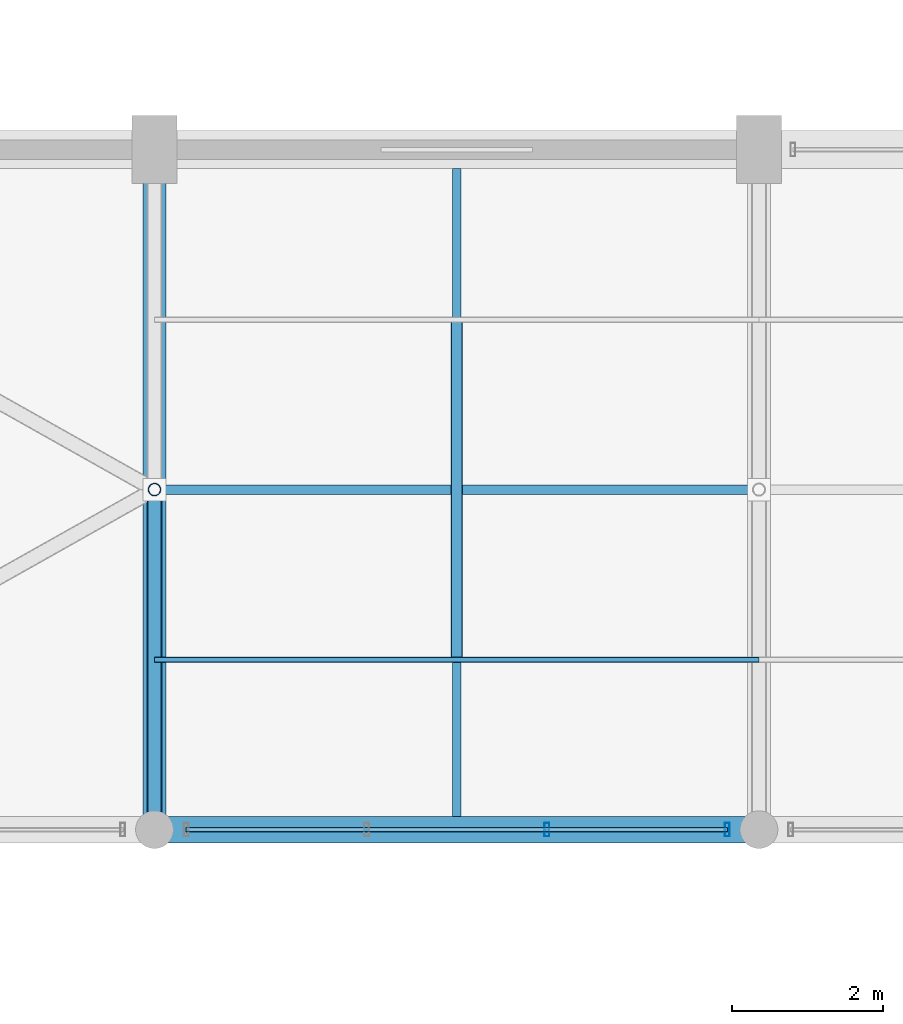
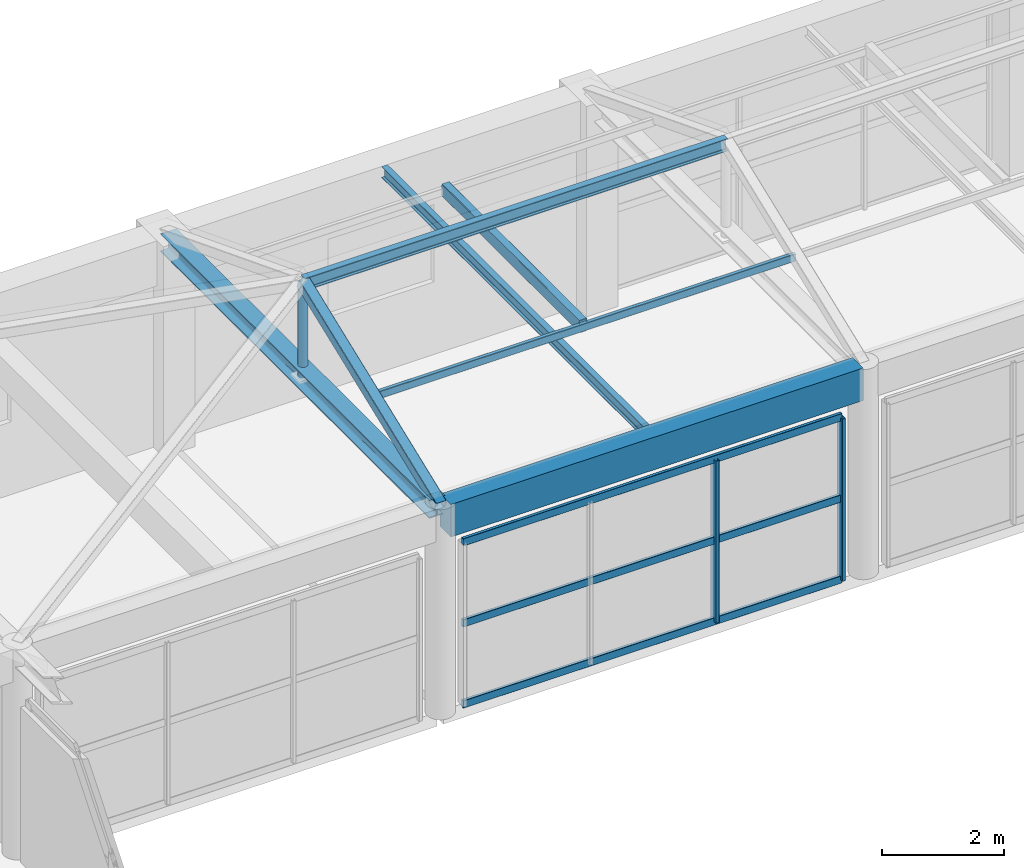
# One storey, part 30 of 65: 9 members, 4 beams, 1 element without a shape of its own.
"""IFC4 building model written with IfcOpenShell, lengths in metres."""

from ifc_helpers import new_model, si_unit, direction, frame, origin, origin_2d, place, context, subcontext, project, spatial, rectangle, hollow_rectangle, hollow_circle, i_section, extrude, material, material_profile, profile_set, type_object, element, aggregate, save


model = new_model("IFC4")

# Units and contexts
model_context = context("Model", 3, precision=1e-05, world=origin(), true_north=direction((0.0, 1.0)))
body_context = subcontext(model_context, "Body", "Model", "MODEL_VIEW")
ifc_project = project(units=[si_unit("LENGTHUNIT", "METRE"), si_unit("AREAUNIT", "SQUARE_METRE"), si_unit("VOLUMEUNIT", "CUBIC_METRE"), si_unit("PLANEANGLEUNIT", "RADIAN"), si_unit("MASSUNIT", "GRAM", prefix="KILO")], contexts=[model_context])

# Site, building, storey
site_placement = place(None, origin())
site = spatial("IfcSite", under=ifc_project, at=site_placement, CompositionType="ELEMENT")
building_placement = place(site_placement, origin())
building = spatial("IfcBuilding", under=site, at=building_placement, Name="Varnabhumi Central Station", CompositionType="ELEMENT")
storey_placement = place(building_placement, frame((0.0, 0.0, 24.60009765625)))
storey = spatial("IfcBuildingStorey", under=building, at=storey_placement, Name="L05", CompositionType="ELEMENT", Elevation=24.60009765625)

# Beams
ifc_material_1 = material(Name="Structural steel E350", Category="steel")
ifc_material_profile_1 = material_profile(ifc_material_1, i_section(OverallWidth=0.125, OverallDepth=0.25, WebThickness=0.0068359375, FlangeThickness=0.012451171875, FilletRadius=0.012939453125, at=origin_2d()), Name="Structural steel E350", Category="steel")
ifc_profile_set_1 = profile_set([ifc_material_profile_1], Name="Structural steel E350")
beam_type_1 = type_object("IfcBeamType", Name="BM-PUR-ISMB250", PredefinedType="JOIST", material=ifc_profile_set_1)
beam_1_placement = place(storey_placement, frame((120.0, 31.5, 5.829833984375), z_axis=(1.0, 0.0, 0.0), x_axis=(0.0, 1.0, 0.0)))
element("IfcBeam", 1, at=beam_1_placement, inside=storey, type_object=beam_type_1, Name="Mission Roof Ridge Beam SW6CN-2", PredefinedType="JOIST", context=body_context, shape_type="SweptSolid", body=[
    extrude(i_section(OverallWidth=0.125, OverallDepth=0.25, WebThickness=0.0068359375, FlangeThickness=0.012451171875, FilletRadius=0.012939453125, at=origin_2d()), origin(), (0.0, 0.0, 1.0), 8.0),
])
ifc_material_2 = material(Name="Concrete M40", Category="concrete")
ifc_material_profile_2 = material_profile(ifc_material_2, rectangle(XDim=0.35009765625, YDim=0.64990234375, at=origin_2d()), Name="Concrete M40", Category="concrete")
ifc_profile_set_2 = profile_set([ifc_material_profile_2], Name="Concrete M40")
beam_type_2 = type_object("IfcBeamType", Name="BM-RC-350x650", PredefinedType="BEAM", material=ifc_profile_set_2)
beam_2_placement = place(storey_placement, frame((120.10009765625, 27.0, 3.875), z_axis=(1.0, 0.0, 0.0), x_axis=(0.0, 1.0, 0.0)))
element("IfcBeam", 2, at=beam_2_placement, inside=storey, type_object=beam_type_2, Name="Beam L05-D:16-17", PredefinedType="BEAM", context=body_context, shape_type="SweptSolid", body=[
    extrude(rectangle(XDim=0.35009765625, YDim=0.64990234375, at=origin_2d()), origin(), (0.0, 0.0, 1.0), 7.7998046875),
])
ifc_material_profile_3 = material_profile(ifc_material_1, i_section(OverallWidth=0.110107421875, OverallDepth=0.22509765625, WebThickness=0.006591796875, FlangeThickness=0.01171875, FilletRadius=0.011962890625, at=origin_2d()), Name="Structural steel E350", Category="steel")
ifc_profile_set_3 = profile_set([ifc_material_profile_3], Name="Structural steel E350")
beam_type_3 = type_object("IfcBeamType", Name="BM-STL-ISMB225", PredefinedType="JOIST", material=ifc_profile_set_3)
beam_3_placement = place(storey_placement, frame((124.0, 27.175048828125, 4.08740234375), z_axis=(0.0, 1.0, 0.0), x_axis=(-1.0, 0.0, 0.0)))
element("IfcBeam", 3, at=beam_3_placement, inside=storey, type_object=beam_type_3, Name="Secondary Joist L05-16/17:D-E", PredefinedType="JOIST", context=body_context, shape_type="SweptSolid", body=[
    extrude(i_section(OverallWidth=0.110107421875, OverallDepth=0.22509765625, WebThickness=0.006591796875, FlangeThickness=0.01171875, FilletRadius=0.011962890625, at=origin_2d()), origin(), (0.0, 0.0, 1.0), 8.574951171875),
])
ifc_material_profile_4 = material_profile(ifc_material_1, i_section(OverallWidth=0.300048828125, OverallDepth=0.360107421875, WebThickness=0.012451171875, FlangeThickness=0.0224609375, FilletRadius=0.027099609375, at=origin_2d()), Name="Structural steel E350", Category="steel")
ifc_profile_set_4 = profile_set([ifc_material_profile_4], Name="Structural steel E350")
beam_type_4 = type_object("IfcBeamType", Name="BM-STL-WPB360", PredefinedType="BEAM", material=ifc_profile_set_4)
beam_4_placement = place(storey_placement, frame((120.0, 27.10009765625, 4.02001953125), z_axis=(0.0, 1.0, 0.0), x_axis=(-1.0, 0.0, 0.0)))
element("IfcBeam", 4, at=beam_4_placement, inside=storey, type_object=beam_type_4, Name="Beam L05-16:D-E", PredefinedType="BEAM", context=body_context, shape_type="SweptSolid", body=[
    extrude(i_section(OverallWidth=0.300048828125, OverallDepth=0.360107421875, WebThickness=0.012451171875, FlangeThickness=0.0224609375, FilletRadius=0.027099609375, at=origin_2d()), origin(), (0.0, 0.0, 1.0), 8.7998046875),
])

# Curtain wall, members
ifc_material_3 = material(Name="Anodised aluminium 6063-T6", Category="aluminium")
curtain_wall_type = type_object("IfcCurtainWallType", Name="CW-PATIO-LOGGIA-L3", PredefinedType="NOTDEFINED", material=ifc_material_3)
curtain_wall_placement = place(storey_placement, origin())
curtain_wall = element("IfcCurtainWall", 5, at=curtain_wall_placement, inside=storey, type_object=curtain_wall_type, Name="Curtain Wall CW-SP5N2", PredefinedType="NOTDEFINED")
ifc_material_profile_5 = material_profile(ifc_material_3, hollow_rectangle(XDim=0.06494140625, YDim=0.179931640625, WallThickness=0.00390625, InnerFilletRadius=0.001953125, OuterFilletRadius=0.006103515625, at=origin_2d()), Name="Anodised aluminium 6063-T6", Category="aluminium")
ifc_profile_set_5 = profile_set([ifc_material_profile_5], Name="Anodised aluminium 6063-T6")
member_type_1 = type_object("IfcMemberType", Name="CW-MUL-180", PredefinedType="MULLION", material=ifc_profile_set_5)
member_1_placement = place(storey_placement, frame((125.193359375, 27.0, 0.0), z_axis=(0.0, 0.0, 1.0), x_axis=(1.0, 0.0, 0.0)))
member_1 = element("IfcMember", 6, at=member_1_placement, type_object=member_type_1, Name="Curtain Wall Mullion CW-SP5N2-M3", PredefinedType="MULLION", context=body_context, shape_type="SweptSolid", body=[
    extrude(hollow_rectangle(XDim=0.06494140625, YDim=0.179931640625, WallThickness=0.00390625, InnerFilletRadius=0.001953125, OuterFilletRadius=0.006103515625, at=origin_2d()), origin(), (0.0, 0.0, 1.0), 3.239990234375),
])
member_2_placement = place(storey_placement, frame((127.580078125, 27.0, 0.0), z_axis=(0.0, 0.0, 1.0), x_axis=(1.0, 0.0, 0.0)))
member_2 = element("IfcMember", 7, at=member_2_placement, type_object=member_type_1, Name="Curtain Wall Mullion CW-SP5N2-M4", PredefinedType="MULLION", context=body_context, shape_type="SweptSolid", body=[
    extrude(hollow_rectangle(XDim=0.06494140625, YDim=0.179931640625, WallThickness=0.00390625, InnerFilletRadius=0.001953125, OuterFilletRadius=0.006103515625, at=origin_2d()), origin(), (0.0, 0.0, 1.0), 3.239990234375),
])
ifc_material_profile_6 = material_profile(ifc_material_3, hollow_rectangle(XDim=0.06005859375, YDim=0.14990234375, WallThickness=0.00390625, InnerFilletRadius=0.001953125, OuterFilletRadius=0.006103515625, at=origin_2d()), Name="Anodised aluminium 6063-T6", Category="aluminium")
ifc_profile_set_6 = profile_set([ifc_material_profile_6], Name="Anodised aluminium 6063-T6")
member_type_2 = type_object("IfcMemberType", Name="CW-TR-150", PredefinedType="USERDEFINED", material=ifc_profile_set_6)
member_3_placement = place(storey_placement, frame((120.419921875, 27.0, 0.0), z_axis=(1.0, 0.0, 0.0), x_axis=(0.0, 1.0, 0.0)))
member_3 = element("IfcMember", 8, at=member_3_placement, type_object=member_type_2, Name="Curtain Wall Transom CW-SP5N2-T1", ObjectType="TRANSOM", PredefinedType="USERDEFINED", context=body_context, shape_type="SweptSolid", body=[
    extrude(hollow_rectangle(XDim=0.06005859375, YDim=0.14990234375, WallThickness=0.00390625, InnerFilletRadius=0.001953125, OuterFilletRadius=0.006103515625, at=origin_2d()), origin(), (0.0, 0.0, 1.0), 7.16015625),
])
member_4_placement = place(storey_placement, frame((120.419921875, 27.0, 1.619873046875), z_axis=(1.0, 0.0, 0.0), x_axis=(0.0, 1.0, 0.0)))
member_4 = element("IfcMember", 9, at=member_4_placement, type_object=member_type_2, Name="Curtain Wall Transom CW-SP5N2-T2", ObjectType="TRANSOM", PredefinedType="USERDEFINED", context=body_context, shape_type="SweptSolid", body=[
    extrude(hollow_rectangle(XDim=0.06005859375, YDim=0.14990234375, WallThickness=0.00390625, InnerFilletRadius=0.001953125, OuterFilletRadius=0.006103515625, at=origin_2d()), origin(), (0.0, 0.0, 1.0), 7.16015625),
])
member_5_placement = place(storey_placement, frame((120.419921875, 27.0, 3.239990234375), z_axis=(1.0, 0.0, 0.0), x_axis=(0.0, 1.0, 0.0)))
member_5 = element("IfcMember", 10, at=member_5_placement, type_object=member_type_2, Name="Curtain Wall Transom CW-SP5N2-T3", ObjectType="TRANSOM", PredefinedType="USERDEFINED", context=body_context, shape_type="SweptSolid", body=[
    extrude(hollow_rectangle(XDim=0.06005859375, YDim=0.14990234375, WallThickness=0.00390625, InnerFilletRadius=0.001953125, OuterFilletRadius=0.006103515625, at=origin_2d()), origin(), (0.0, 0.0, 1.0), 7.16015625),
])
aggregate(curtain_wall, [member_1, member_2, member_3, member_4, member_5])

# Members
ifc_material_profile_7 = material_profile(ifc_material_1, hollow_rectangle(XDim=0.14990234375, YDim=0.25, WallThickness=0.010009765625, InnerFilletRadius=0.010009765625, OuterFilletRadius=0.02001953125, at=origin_2d()), Name="Structural steel E350", Category="steel")
ifc_profile_set_7 = profile_set([ifc_material_profile_7], Name="Structural steel E350")
member_type_3 = type_object("IfcMemberType", Name="MBR-COLLAR-RHS", PredefinedType="COLLAR", material=ifc_profile_set_7)
member_6_placement = place(storey_placement, frame((124.0, 29.25, 4.94482421875), z_axis=(0.0, 1.0, 0.0), x_axis=(-1.0, 0.0, 0.0)))
element("IfcMember", 11, at=member_6_placement, inside=storey, type_object=member_type_3, Name="Mission Roof Collar Tie SW6CN-2", PredefinedType="COLLAR", context=body_context, shape_type="SweptSolid", body=[
    extrude(hollow_rectangle(XDim=0.14990234375, YDim=0.25, WallThickness=0.010009765625, InnerFilletRadius=0.010009765625, OuterFilletRadius=0.02001953125, at=origin_2d()), origin(), (0.0, 0.0, 1.0), 4.5),
])
ifc_material_profile_8 = material_profile(ifc_material_1, hollow_rectangle(XDim=0.074951171875, YDim=0.14990234375, WallThickness=0.006103515625, InnerFilletRadius=0.006103515625, OuterFilletRadius=0.011962890625, at=origin_2d()), Name="Structural steel E350", Category="steel")
ifc_profile_set_8 = profile_set([ifc_material_profile_8], Name="Structural steel E350")
member_type_4 = type_object("IfcMemberType", Name="MBR-PURL-RHS150", PredefinedType="PURLIN", material=ifc_profile_set_8)
member_7_placement = place(storey_placement, frame((120.0, 29.25, 4.9248046875), z_axis=(1.0, 0.0, 0.0), x_axis=(0.0, 1.0, 0.0)))
element("IfcMember", 12, at=member_7_placement, inside=storey, type_object=member_type_4, Name="Mission Roof Purlin SW6CN-2-S", PredefinedType="PURLIN", context=body_context, shape_type="SweptSolid", body=[
    extrude(hollow_rectangle(XDim=0.074951171875, YDim=0.14990234375, WallThickness=0.006103515625, InnerFilletRadius=0.006103515625, OuterFilletRadius=0.011962890625, at=origin_2d()), origin(), (0.0, 0.0, 1.0), 8.0),
])
ifc_material_profile_9 = material_profile(ifc_material_1, hollow_rectangle(XDim=0.199951171875, YDim=0.199951171875, WallThickness=0.010009765625, InnerFilletRadius=0.010009765625, OuterFilletRadius=0.02001953125, at=origin_2d()), Name="Structural steel E350", Category="steel")
ifc_profile_set_9 = profile_set([ifc_material_profile_9], Name="Structural steel E350")
member_type_5 = type_object("IfcMemberType", Name="MBR-RAFT-SHS200", PredefinedType="RAFTER", material=ifc_profile_set_9)
member_8_placement = place(storey_placement, frame((120.0, 27.0, 4.10986328125), z_axis=(0.0, 0.932004671541, 0.362446261155), x_axis=(-1.0, 0.0, 0.0)))
element("IfcMember", 13, at=member_8_placement, inside=storey, type_object=member_type_5, Name="Mission Roof South Rafter SW6CN-2", PredefinedType="RAFTER", context=body_context, shape_type="SweptSolid", body=[
    extrude(hollow_rectangle(XDim=0.199951171875, YDim=0.199951171875, WallThickness=0.010009765625, InnerFilletRadius=0.010009765625, OuterFilletRadius=0.02001953125, at=origin_2d()), origin(), (0.0, 0.0, 1.0), 4.828369140625),
])
ifc_material_profile_10 = material_profile(ifc_material_1, hollow_circle(Radius=0.084228515625, WallThickness=0.008056640625, at=origin_2d()), Name="Structural steel E350", Category="steel")
ifc_profile_set_10 = profile_set([ifc_material_profile_10], Name="Structural steel E350")
member_type_6 = type_object("IfcMemberType", Name="MBR-STRUT-CHS168", PredefinedType="STRUT", material=ifc_profile_set_10)
member_9_placement = place(storey_placement, frame((120.0, 31.5, 3.949951171875), z_axis=(0.0, 0.0, 1.0), x_axis=(1.0, 0.0, 0.0)))
element("IfcMember", 14, at=member_9_placement, inside=storey, type_object=member_type_6, Name="Mission Roof King Strut SW6CN-2", PredefinedType="STRUT", context=body_context, shape_type="SweptSolid", body=[
    extrude(hollow_circle(Radius=0.084228515625, WallThickness=0.008056640625, at=origin_2d()), origin(), (0.0, 0.0, 1.0), 1.8798828125),
])

save(model, "model.ifc")
